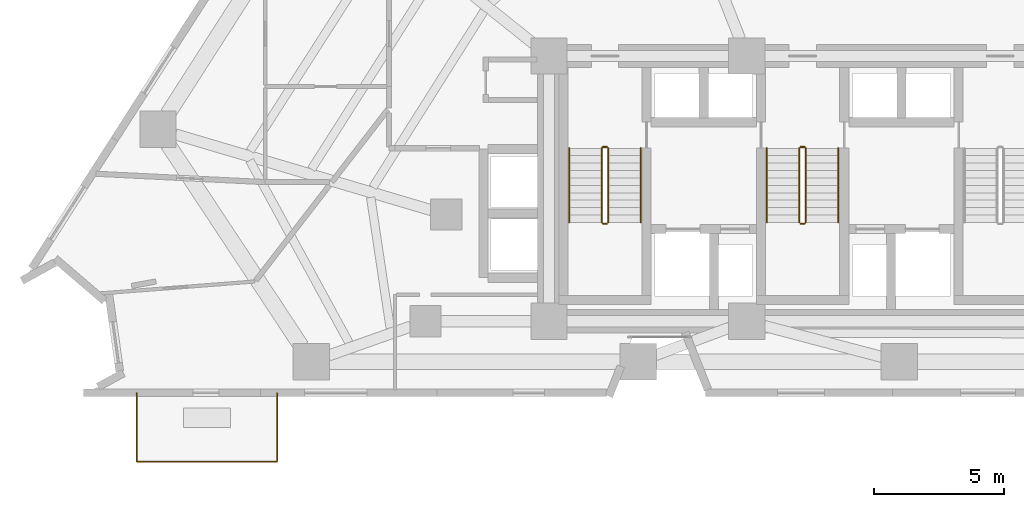
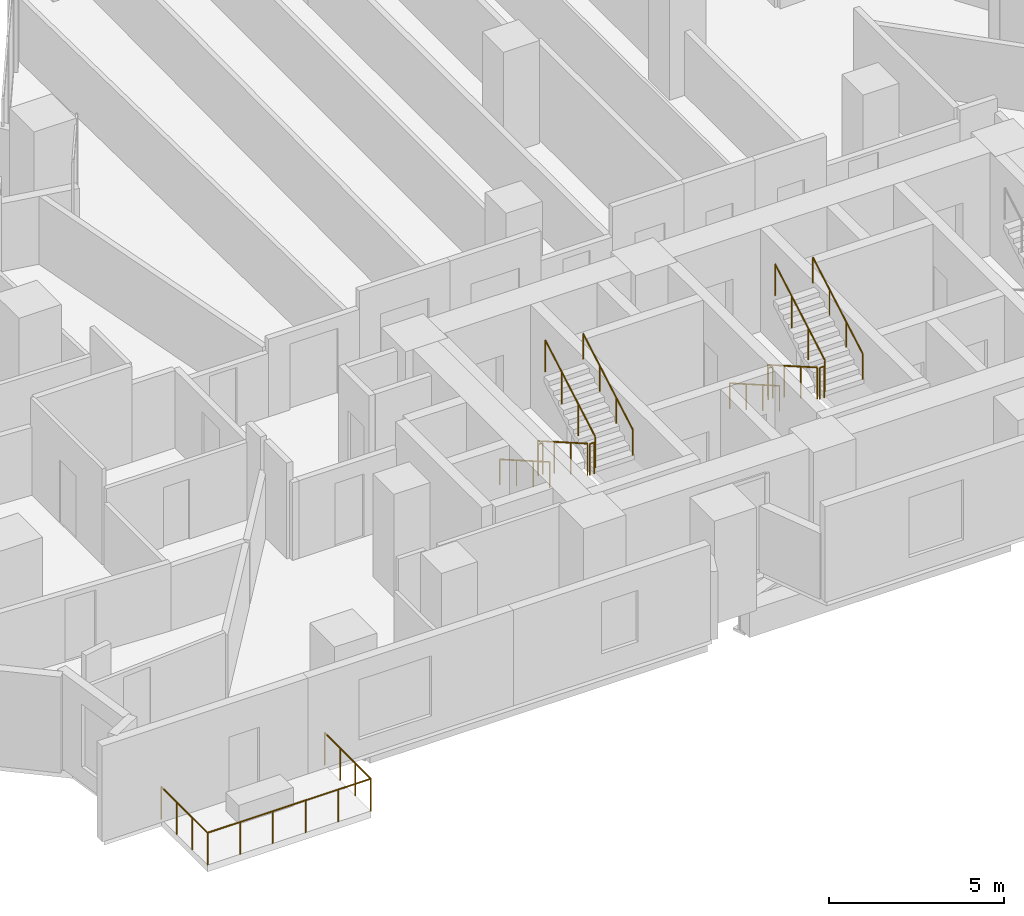
# One storey, part 12 of 14: 13 railings.
"""IFC4 building model written with IfcOpenShell, lengths in metres."""

from ifc_helpers import new_model, si_unit, direction, frame, origin, origin_2d, place, context, subcontext, project, spatial, circle, extrude, material, type_object, element, save


model = new_model("IFC4")

# Units and contexts
model_context = context("Model", 3, precision=1e-05, world=origin(), true_north=direction((0.0, 1.0)))
body_context = subcontext(model_context, "Body", "Model", "MODEL_VIEW")
ifc_project = project(units=[si_unit("LENGTHUNIT", "METRE"), si_unit("AREAUNIT", "SQUARE_METRE"), si_unit("VOLUMEUNIT", "CUBIC_METRE"), si_unit("PLANEANGLEUNIT", "RADIAN"), si_unit("MASSUNIT", "GRAM", prefix="KILO")], contexts=[model_context])

# Site, building, storey
site_placement = place(None, origin())
site = spatial("IfcSite", under=ifc_project, at=site_placement, CompositionType="ELEMENT")
building_placement = place(site_placement, origin())
building = spatial("IfcBuilding", under=site, at=building_placement, Name="Almagre Mirador Tower", CompositionType="ELEMENT")
storey_placement = place(building_placement, frame((0.0, 0.0, 35.39990234375)))
storey = spatial("IfcBuildingStorey", under=building, at=storey_placement, Name="L07", CompositionType="ELEMENT", Elevation=35.39990234375)

# Railings
ifc_material_1 = material(Name="Black anodized aluminium", Category="aluminium")
railing_type_1 = type_object("IfcRailingType", Name="RLG-BAL-1150", PredefinedType="BALUSTRADE", material=ifc_material_1)
railing_1_placement = place(storey_placement, frame((11.699951171875, 1.800048828125, 0.0)))
element("IfcRailing", 1, at=railing_1_placement, inside=storey, type_object=railing_type_1, Name="L07 south balcony balustrade 1", PredefinedType="BALUSTRADE", context=body_context, shape_type="SweptSolid", body=[
    extrude(circle(Radius=0.02392578125, at=origin_2d()), frame((0.0, 0.0, 1.1259765625), z_axis=(0.0, -1.0, 0.0), x_axis=(1.0, 0.0, 0.0)), (0.0, 0.0, 1.0), 2.650146484375),
    extrude(circle(Radius=0.02392578125, at=origin_2d()), frame((0.0, -2.650146484375, 1.1259765625), z_axis=(1.0, 0.0, 0.0), x_axis=(0.0, 1.0, 0.0)), (0.0, 0.0, 1.0), 5.400146484375),
    extrude(circle(Radius=0.02392578125, at=origin_2d()), frame((5.400146484375, -2.650146484375, 1.1259765625), z_axis=(0.0, 1.0, 0.0), x_axis=(-1.0, 0.0, 0.0)), (0.0, 0.0, 1.0), 2.650146484375),
    extrude(circle(Radius=0.02099609375, at=origin_2d()), origin(), (0.0, 0.0, 1.0), 1.101806640625),
    extrude(circle(Radius=0.02099609375, at=origin_2d()), frame((0.0, -0.88330078125, 0.0)), (0.0, 0.0, 1.0), 1.101806640625),
    extrude(circle(Radius=0.02099609375, at=origin_2d()), frame((0.0, -1.766845703125, 0.0)), (0.0, 0.0, 1.0), 1.101806640625),
    extrude(circle(Radius=0.02099609375, at=origin_2d()), frame((0.0, -2.650146484375, 0.0)), (0.0, 0.0, 1.0), 1.101806640625),
    extrude(circle(Radius=0.02099609375, at=origin_2d()), frame((1.080078125, -2.650146484375, 0.0)), (0.0, 0.0, 1.0), 1.101806640625),
    extrude(circle(Radius=0.02099609375, at=origin_2d()), frame((2.16015625, -2.650146484375, 0.0)), (0.0, 0.0, 1.0), 1.101806640625),
    extrude(circle(Radius=0.02099609375, at=origin_2d()), frame((3.239990234375, -2.650146484375, 0.0)), (0.0, 0.0, 1.0), 1.101806640625),
    extrude(circle(Radius=0.02099609375, at=origin_2d()), frame((4.320068359375, -2.650146484375, 0.0)), (0.0, 0.0, 1.0), 1.101806640625),
    extrude(circle(Radius=0.02099609375, at=origin_2d()), frame((5.400146484375, -2.650146484375, 0.0)), (0.0, 0.0, 1.0), 1.101806640625),
    extrude(circle(Radius=0.02099609375, at=origin_2d()), frame((5.400146484375, -1.766845703125, 0.0)), (0.0, 0.0, 1.0), 1.101806640625),
    extrude(circle(Radius=0.02099609375, at=origin_2d()), frame((5.400146484375, -0.88330078125, 0.0)), (0.0, 0.0, 1.0), 1.101806640625),
    extrude(circle(Radius=0.02099609375, at=origin_2d()), frame((5.400146484375, 0.0, 0.0)), (0.0, 0.0, 1.0), 1.101806640625),
])
ifc_material_2 = material(Name="Painted galvanized steel", Category="steel")
railing_type_2 = type_object("IfcRailingType", Name="RLG-GRD-1100", PredefinedType="GUARDRAIL", material=ifc_material_2)
railing_2_placement = place(storey_placement, frame((29.574951171875, 11.199951171875, 0.163818359375)))
element("IfcRailing", 2, at=railing_2_placement, inside=storey, type_object=railing_type_2, Name="L07 ST-1 stair guard 1", PredefinedType="GUARDRAIL", context=body_context, shape_type="SweptSolid", body=[
    extrude(circle(Radius=0.02392578125, at=origin_2d()), frame((0.0, 0.0, 1.09619140625), z_axis=(0.0, -0.867226363773, 0.497914082927), x_axis=(1.0, 0.0, 0.0)), (0.0, 0.0, 1.0), 3.2861328125),
    extrude(circle(Radius=0.02099609375, at=origin_2d()), origin(), (0.0, 0.0, 1.0), 1.072021484375),
    extrude(circle(Radius=0.02099609375, at=origin_2d()), frame((0.0, -0.949951171875, 0.54541015625)), (0.0, 0.0, 1.0), 1.072021484375),
    extrude(circle(Radius=0.02099609375, at=origin_2d()), frame((0.0, -1.89990234375, 1.0908203125)), (0.0, 0.0, 1.0), 1.072021484375),
    extrude(circle(Radius=0.02099609375, at=origin_2d()), frame((0.0, -2.849853515625, 1.63623046875)), (0.0, 0.0, 1.0), 1.072021484375),
])
railing_3_placement = place(storey_placement, frame((29.625, 8.300048828125, 1.800048828125)))
element("IfcRailing", 3, at=railing_3_placement, inside=storey, type_object=railing_type_2, Name="L07 ST-1 stair guard 2", PredefinedType="GUARDRAIL", context=body_context, shape_type="SweptSolid", body=[
    extrude(circle(Radius=0.02392578125, at=origin_2d()), frame((0.0, 0.0, 1.09619140625), z_axis=(1.0, 0.0, 0.0), x_axis=(0.0, 1.0, 0.0)), (0.0, 0.0, 1.0), 0.14990234375),
    extrude(circle(Radius=0.02099609375, at=origin_2d()), origin(), (0.0, 0.0, 1.0), 1.072021484375),
    extrude(circle(Radius=0.02099609375, at=origin_2d()), frame((0.14990234375, 0.0, 0.0)), (0.0, 0.0, 1.0), 1.072021484375),
])
railing_4_placement = place(storey_placement, frame((29.824951171875, 8.35009765625, 1.963623046875)))
element("IfcRailing", 4, at=railing_4_placement, inside=storey, type_object=railing_type_2, Name="L07 ST-1 stair guard 3", PredefinedType="GUARDRAIL", context=body_context, shape_type="SweptSolid", body=[
    extrude(circle(Radius=0.02392578125, at=origin_2d()), frame((0.0, 0.0, 1.09619140625), z_axis=(0.0, 0.867194282975, 0.497969954491), x_axis=(-1.0, 0.0, 0.0)), (0.0, 0.0, 1.0), 3.286376953125),
    extrude(circle(Radius=0.02099609375, at=origin_2d()), origin(), (0.0, 0.0, 1.0), 1.072021484375),
    extrude(circle(Radius=0.02099609375, at=origin_2d()), frame((0.0, 0.949951171875, 0.54541015625)), (0.0, 0.0, 1.0), 1.072021484375),
    extrude(circle(Radius=0.02099609375, at=origin_2d()), frame((0.0, 1.89990234375, 1.091064453125)), (0.0, 0.0, 1.0), 1.072021484375),
    extrude(circle(Radius=0.02099609375, at=origin_2d()), frame((0.0, 2.849853515625, 1.636474609375)), (0.0, 0.0, 1.0), 1.072021484375),
])
railing_5_placement = place(storey_placement, frame((29.625, 11.25, 0.0)))
element("IfcRailing", 5, at=railing_5_placement, inside=storey, type_object=railing_type_2, Name="L07 ST-1 stair guard 4", PredefinedType="GUARDRAIL", context=body_context, shape_type="SweptSolid", body=[
    extrude(circle(Radius=0.02392578125, at=origin_2d()), frame((0.0, 0.0, 1.09619140625), z_axis=(1.0, 0.0, 0.0), x_axis=(0.0, 1.0, 0.0)), (0.0, 0.0, 1.0), 0.14990234375),
    extrude(circle(Radius=0.02099609375, at=origin_2d()), origin(), (0.0, 0.0, 1.0), 1.072021484375),
    extrude(circle(Radius=0.02099609375, at=origin_2d()), frame((0.14990234375, 0.0, 0.0)), (0.0, 0.0, 1.0), 1.072021484375),
])
railing_6_placement = place(storey_placement, frame((37.175048828125, 11.199951171875, 0.163818359375)))
element("IfcRailing", 6, at=railing_6_placement, inside=storey, type_object=railing_type_2, Name="L07 ST-2 stair guard 1", PredefinedType="GUARDRAIL", context=body_context, shape_type="SweptSolid", body=[
    extrude(circle(Radius=0.02392578125, at=origin_2d()), frame((0.0, 0.0, 1.09619140625), z_axis=(0.0, -0.867226363773, 0.497914082927), x_axis=(1.0, 0.0, 0.0)), (0.0, 0.0, 1.0), 3.2861328125),
    extrude(circle(Radius=0.02099609375, at=origin_2d()), origin(), (0.0, 0.0, 1.0), 1.072021484375),
    extrude(circle(Radius=0.02099609375, at=origin_2d()), frame((0.0, -0.949951171875, 0.54541015625)), (0.0, 0.0, 1.0), 1.072021484375),
    extrude(circle(Radius=0.02099609375, at=origin_2d()), frame((0.0, -1.89990234375, 1.0908203125)), (0.0, 0.0, 1.0), 1.072021484375),
    extrude(circle(Radius=0.02099609375, at=origin_2d()), frame((0.0, -2.849853515625, 1.63623046875)), (0.0, 0.0, 1.0), 1.072021484375),
])
railing_7_placement = place(storey_placement, frame((37.22509765625, 8.300048828125, 1.800048828125)))
element("IfcRailing", 7, at=railing_7_placement, inside=storey, type_object=railing_type_2, Name="L07 ST-2 stair guard 2", PredefinedType="GUARDRAIL", context=body_context, shape_type="SweptSolid", body=[
    extrude(circle(Radius=0.02392578125, at=origin_2d()), frame((0.0, 0.0, 1.09619140625), z_axis=(1.0, 0.0, 0.0), x_axis=(0.0, 1.0, 0.0)), (0.0, 0.0, 1.0), 0.14990234375),
    extrude(circle(Radius=0.02099609375, at=origin_2d()), origin(), (0.0, 0.0, 1.0), 1.072021484375),
    extrude(circle(Radius=0.02099609375, at=origin_2d()), frame((0.14990234375, 0.0, 0.0)), (0.0, 0.0, 1.0), 1.072021484375),
])
railing_8_placement = place(storey_placement, frame((37.425048828125, 8.35009765625, 1.963623046875)))
element("IfcRailing", 8, at=railing_8_placement, inside=storey, type_object=railing_type_2, Name="L07 ST-2 stair guard 3", PredefinedType="GUARDRAIL", context=body_context, shape_type="SweptSolid", body=[
    extrude(circle(Radius=0.02392578125, at=origin_2d()), frame((0.0, 0.0, 1.09619140625), z_axis=(0.0, 0.867194282975, 0.497969954491), x_axis=(-1.0, 0.0, 0.0)), (0.0, 0.0, 1.0), 3.286376953125),
    extrude(circle(Radius=0.02099609375, at=origin_2d()), origin(), (0.0, 0.0, 1.0), 1.072021484375),
    extrude(circle(Radius=0.02099609375, at=origin_2d()), frame((0.0, 0.949951171875, 0.54541015625)), (0.0, 0.0, 1.0), 1.072021484375),
    extrude(circle(Radius=0.02099609375, at=origin_2d()), frame((0.0, 1.89990234375, 1.091064453125)), (0.0, 0.0, 1.0), 1.072021484375),
    extrude(circle(Radius=0.02099609375, at=origin_2d()), frame((0.0, 2.849853515625, 1.636474609375)), (0.0, 0.0, 1.0), 1.072021484375),
])
railing_9_placement = place(storey_placement, frame((37.22509765625, 11.25, 0.0)))
element("IfcRailing", 9, at=railing_9_placement, inside=storey, type_object=railing_type_2, Name="L07 ST-2 stair guard 4", PredefinedType="GUARDRAIL", context=body_context, shape_type="SweptSolid", body=[
    extrude(circle(Radius=0.02392578125, at=origin_2d()), frame((0.0, 0.0, 1.09619140625), z_axis=(1.0, 0.0, 0.0), x_axis=(0.0, 1.0, 0.0)), (0.0, 0.0, 1.0), 0.14990234375),
    extrude(circle(Radius=0.02099609375, at=origin_2d()), origin(), (0.0, 0.0, 1.0), 1.072021484375),
    extrude(circle(Radius=0.02099609375, at=origin_2d()), frame((0.14990234375, 0.0, 0.0)), (0.0, 0.0, 1.0), 1.072021484375),
])
ifc_material_3 = material(Name="Brushed stainless steel", Category="steel")
railing_type_3 = type_object("IfcRailingType", Name="RLG-HND-915", PredefinedType="HANDRAIL", material=ifc_material_3)
railing_10_placement = place(storey_placement, frame((28.324951171875, 11.199951171875, 0.163818359375)))
element("IfcRailing", 10, at=railing_10_placement, inside=storey, type_object=railing_type_3, Name="L07 ST-1 stair handrail 1", PredefinedType="HANDRAIL", context=body_context, shape_type="SweptSolid", body=[
    extrude(circle(Radius=0.02392578125, at=origin_2d()), frame((0.0, 0.0, 0.89111328125), z_axis=(0.0, -0.867226363773, 0.497914082927), x_axis=(1.0, 0.0, 0.0)), (0.0, 0.0, 1.0), 3.2861328125),
    extrude(circle(Radius=0.02099609375, at=origin_2d()), origin(), (0.0, 0.0, 1.0), 0.866943359375),
    extrude(circle(Radius=0.02099609375, at=origin_2d()), frame((0.0, -0.949951171875, 0.54541015625)), (0.0, 0.0, 1.0), 0.866943359375),
    extrude(circle(Radius=0.02099609375, at=origin_2d()), frame((0.0, -1.89990234375, 1.0908203125)), (0.0, 0.0, 1.0), 0.866943359375),
    extrude(circle(Radius=0.02099609375, at=origin_2d()), frame((0.0, -2.849853515625, 1.63623046875)), (0.0, 0.0, 1.0), 0.866943359375),
])
railing_11_placement = place(storey_placement, frame((31.074951171875, 8.35009765625, 1.963623046875)))
element("IfcRailing", 11, at=railing_11_placement, inside=storey, type_object=railing_type_3, Name="L07 ST-1 stair handrail 2", PredefinedType="HANDRAIL", context=body_context, shape_type="SweptSolid", body=[
    extrude(circle(Radius=0.02392578125, at=origin_2d()), frame((0.0, 0.0, 0.89111328125), z_axis=(0.0, 0.867194282975, 0.497969954491), x_axis=(-1.0, 0.0, 0.0)), (0.0, 0.0, 1.0), 3.286376953125),
    extrude(circle(Radius=0.02099609375, at=origin_2d()), origin(), (0.0, 0.0, 1.0), 0.866943359375),
    extrude(circle(Radius=0.02099609375, at=origin_2d()), frame((0.0, 0.949951171875, 0.54541015625)), (0.0, 0.0, 1.0), 0.866943359375),
    extrude(circle(Radius=0.02099609375, at=origin_2d()), frame((0.0, 1.89990234375, 1.091064453125)), (0.0, 0.0, 1.0), 0.866943359375),
    extrude(circle(Radius=0.02099609375, at=origin_2d()), frame((0.0, 2.849853515625, 1.636474609375)), (0.0, 0.0, 1.0), 0.866943359375),
])
railing_12_placement = place(storey_placement, frame((35.925048828125, 11.199951171875, 0.163818359375)))
element("IfcRailing", 12, at=railing_12_placement, inside=storey, type_object=railing_type_3, Name="L07 ST-2 stair handrail 1", PredefinedType="HANDRAIL", context=body_context, shape_type="SweptSolid", body=[
    extrude(circle(Radius=0.02392578125, at=origin_2d()), frame((0.0, 0.0, 0.89111328125), z_axis=(0.0, -0.867226363773, 0.497914082927), x_axis=(1.0, 0.0, 0.0)), (0.0, 0.0, 1.0), 3.2861328125),
    extrude(circle(Radius=0.02099609375, at=origin_2d()), origin(), (0.0, 0.0, 1.0), 0.866943359375),
    extrude(circle(Radius=0.02099609375, at=origin_2d()), frame((0.0, -0.949951171875, 0.54541015625)), (0.0, 0.0, 1.0), 0.866943359375),
    extrude(circle(Radius=0.02099609375, at=origin_2d()), frame((0.0, -1.89990234375, 1.0908203125)), (0.0, 0.0, 1.0), 0.866943359375),
    extrude(circle(Radius=0.02099609375, at=origin_2d()), frame((0.0, -2.849853515625, 1.63623046875)), (0.0, 0.0, 1.0), 0.866943359375),
])
railing_13_placement = place(storey_placement, frame((38.675048828125, 8.35009765625, 1.963623046875)))
element("IfcRailing", 13, at=railing_13_placement, inside=storey, type_object=railing_type_3, Name="L07 ST-2 stair handrail 2", PredefinedType="HANDRAIL", context=body_context, shape_type="SweptSolid", body=[
    extrude(circle(Radius=0.02392578125, at=origin_2d()), frame((0.0, 0.0, 0.89111328125), z_axis=(0.0, 0.867194282975, 0.497969954491), x_axis=(-1.0, 0.0, 0.0)), (0.0, 0.0, 1.0), 3.286376953125),
    extrude(circle(Radius=0.02099609375, at=origin_2d()), origin(), (0.0, 0.0, 1.0), 0.866943359375),
    extrude(circle(Radius=0.02099609375, at=origin_2d()), frame((0.0, 0.949951171875, 0.54541015625)), (0.0, 0.0, 1.0), 0.866943359375),
    extrude(circle(Radius=0.02099609375, at=origin_2d()), frame((0.0, 1.89990234375, 1.091064453125)), (0.0, 0.0, 1.0), 0.866943359375),
    extrude(circle(Radius=0.02099609375, at=origin_2d()), frame((0.0, 2.849853515625, 1.636474609375)), (0.0, 0.0, 1.0), 0.866943359375),
])

save(model, "model.ifc")
